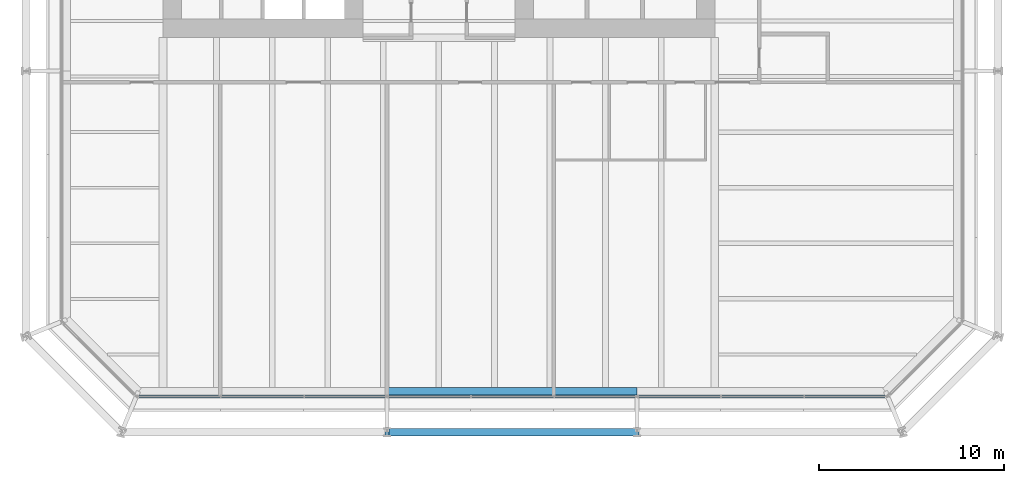
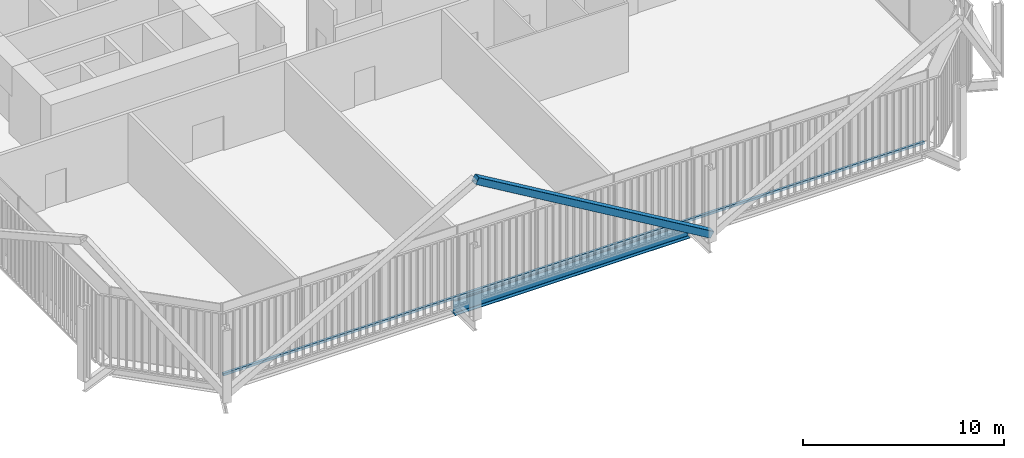
# One storey, part 3 of 21: 2 members, 1 beam, 1 element without a shape of its own.
"""IFC4 building model written with IfcOpenShell, lengths in metres."""

from ifc_helpers import new_model, si_unit, direction, frame, origin, origin_2d, place, context, subcontext, project, spatial, rectangle, hollow_rectangle, i_section, extrude, material, layer, layer_set, material_profile, profile_set, type_object, element, aggregate, save


model = new_model("IFC4")

# Units and contexts
model_context = context("Model", 3, precision=1e-05, world=origin(), true_north=direction((0.0, 1.0)))
body_context = subcontext(model_context, "Body", "Model", "MODEL_VIEW")
ifc_project = project(units=[si_unit("LENGTHUNIT", "METRE"), si_unit("AREAUNIT", "SQUARE_METRE"), si_unit("VOLUMEUNIT", "CUBIC_METRE"), si_unit("PLANEANGLEUNIT", "RADIAN"), si_unit("MASSUNIT", "GRAM", prefix="KILO")], contexts=[model_context])

# Site, building, storey
site_placement = place(None, origin())
site = spatial("IfcSite", under=ifc_project, at=site_placement, CompositionType="ELEMENT")
building_placement = place(site_placement, origin())
building = spatial("IfcBuilding", under=site, at=building_placement, Name="Millrace Tower", CompositionType="ELEMENT")
storey_placement = place(building_placement, frame((0.0, 0.0, 104.0)))
storey = spatial("IfcBuildingStorey", under=building, at=storey_placement, Name="L23", CompositionType="ELEMENT", Elevation=104.0)

# Curtain wall, member
ifc_material_1 = material(Name="Aluminium and glass", Category="aluminium")
ifc_layer = layer(ifc_material_1, 0.14990234375)
ifc_layer_set = layer_set([ifc_layer], Name="Aluminium and glass")
curtain_wall_type = type_object("IfcCurtainWallType", Name="CW-3 telecom floor curtain wall", PredefinedType="NOTDEFINED", material=ifc_layer_set)
curtain_wall_placement = place(storey_placement, origin())
curtain_wall = element("IfcCurtainWall", 1, at=curtain_wall_placement, inside=storey, type_object=curtain_wall_type, Name="Curtain wall B-F02 L23", PredefinedType="NOTDEFINED")
ifc_material_2 = material(Name="Aluminium", Category="aluminium")
ifc_material_profile_1 = material_profile(ifc_material_2, rectangle(XDim=0.14990234375, YDim=0.14990234375, at=origin_2d()))
ifc_profile_set_1 = profile_set([ifc_material_profile_1], Name="Aluminium")
member_type_1 = type_object("IfcMemberType", Name="CW-3 telecom floor curtain wall transom", PredefinedType="USERDEFINED", material=ifc_profile_set_1)
member_1_placement = place(storey_placement, frame((-16.199951171875, -29.27490234375, 0.074951171875), z_axis=(1.0, 0.0, 0.0), x_axis=(0.0, 1.0, 0.0)))
member_1 = element("IfcMember", 2, at=member_1_placement, type_object=member_type_1, Name="CW3 transom B-F02.1", ObjectType="TRANSOM", PredefinedType="USERDEFINED", context=body_context, shape_type="SweptSolid", body=[
    extrude(rectangle(XDim=0.14990234375, YDim=0.14990234375, at=origin_2d()), origin(), (0.0, 0.0, 1.0), 40.300048828125),
])
aggregate(curtain_wall, [member_1])

# Member
ifc_material_3 = material(Name="Steel ASTM A500 Grade C", Category="steel")
ifc_material_profile_2 = material_profile(ifc_material_3, hollow_rectangle(XDim=0.406494140625, YDim=0.406494140625, WallThickness=0.0126953125, InnerFilletRadius=0.00634765625, OuterFilletRadius=0.01904296875, at=origin_2d()))
ifc_profile_set_2 = profile_set([ifc_material_profile_2], Name="Steel ASTM A500 Grade C")
member_type_2 = type_object("IfcMemberType", Name="Exoskeleton brace HSS16x16x1/2", PredefinedType="BRACE", material=ifc_profile_set_2)
member_2_placement = place(storey_placement, frame((10.699951171875, -31.199951171875, 0.39990234375), z_axis=(-0.860291533634, 0.0, 0.509802390302), x_axis=(0.0, -1.0, 0.0)))
element("IfcMember", 3, at=member_2_placement, inside=storey, type_object=member_type_2, Name="BRC-B-L23-03", PredefinedType="BRACE", context=body_context, shape_type="SweptSolid", body=[
    extrude(hollow_rectangle(XDim=0.406494140625, YDim=0.406494140625, WallThickness=0.0126953125, InnerFilletRadius=0.00634765625, OuterFilletRadius=0.01904296875, at=origin_2d()), origin(), (0.0, 0.0, 1.0), 15.6923828125),
])

# Beam
ifc_material_4 = material(Name="Steel ASTM A992 Grade 50", Category="steel")
ifc_material_profile_3 = material_profile(ifc_material_4, i_section(OverallWidth=0.419189453125, OverallDepth=0.927001953125, WebThickness=0.019287109375, FlangeThickness=0.031982421875, FilletRadius=0.024169921875, at=origin_2d()))
ifc_profile_set_3 = profile_set([ifc_material_profile_3], Name="Steel ASTM A992 Grade 50")
beam_type = type_object("IfcBeamType", Name="Ring beam medium span W36x231", PredefinedType="SPANDREL", material=ifc_profile_set_3)
beam_placement = place(storey_placement, frame((10.699951171875, -28.990478515625, -0.66357421875), z_axis=(-1.0, 0.0, 0.0), x_axis=(0.0, -1.0, 0.0)))
element("IfcBeam", 4, at=beam_placement, inside=storey, type_object=beam_type, Name="RNG-B-L23-S1-14", PredefinedType="SPANDREL", context=body_context, shape_type="SweptSolid", body=[
    extrude(i_section(OverallWidth=0.419189453125, OverallDepth=0.927001953125, WebThickness=0.019287109375, FlangeThickness=0.031982421875, FilletRadius=0.024169921875, at=origin_2d()), origin(), (0.0, 0.0, 1.0), 13.5),
])

save(model, "model.ifc")
